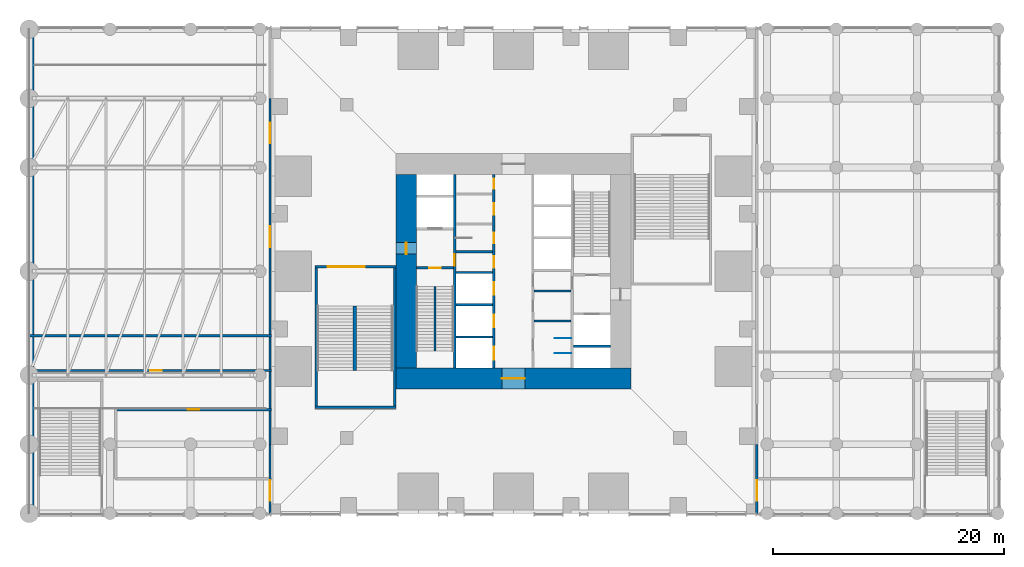
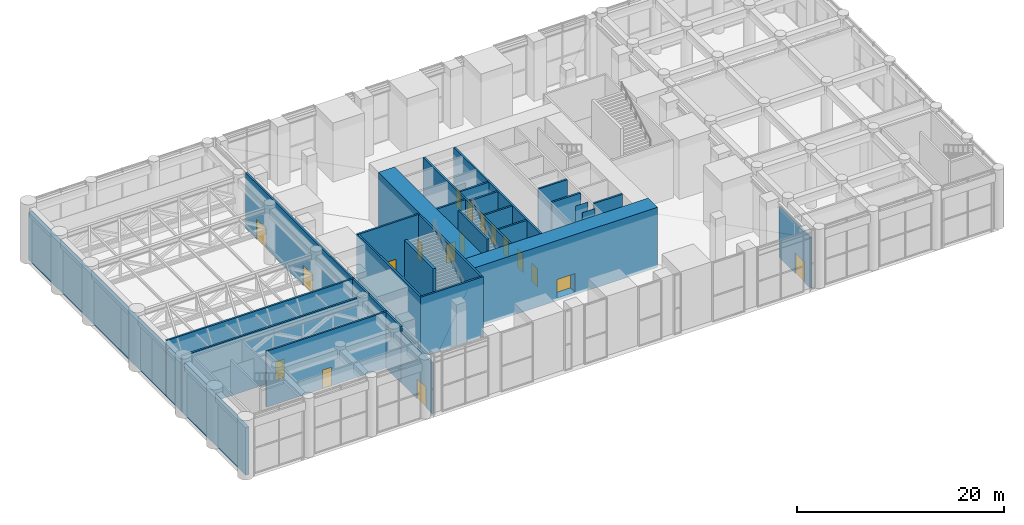
# One storey, part 22 of 30: 27 walls, 18 doors, 18 openings.
"""IFC4 building model written with IfcOpenShell, lengths in metres."""

import ifcopenshell
import ifcopenshell.guid

model = None  # the IFC model being written
_history = None  # IfcOwnerHistory: only IFC2X3 demands one
_inside = {}  # id of a spatial element -> (the spatial element, [elements in it])
_under = {}  # id of a project, library or spatial element -> (it, [spatial elements below it])
_declared = {}  # id of a project -> (the project, [libraries it declares])
_typed = {}  # id of a type object -> (the type object, [elements of that type])
_made_of = {}  # id of a material, layer set ... -> (it, [elements and type objects made of it])


def new_model(schema):
    """Start an empty IFC model of exactly this schema.

    Asked for "IFC4X3", IfcOpenShell would pick the latest addendum, in which some entities
    have other attributes; the version numbers below select the first issue.
    IFC2X3 requires an IfcOwnerHistory on every rooted entity: one is made here for all.
    """
    global model, _history
    if schema == "IFC4X3":
        model = ifcopenshell.file(schema_version=(4, 3, 0, 0))
    else:
        model = ifcopenshell.file(schema=schema)
    _inside.clear()
    _under.clear()
    _declared.clear()
    _typed.clear()
    _made_of.clear()
    _history = None
    if model.schema == "IFC2X3":
        org = make("IfcOrganization", Name="unknown")
        user = make(
            "IfcPersonAndOrganization",
            ThePerson=make("IfcPerson", FamilyName="unknown"),
            TheOrganization=org,
        )
        app = make(
            "IfcApplication",
            ApplicationDeveloper=org,
            Version="unknown",
            ApplicationFullName="unknown",
            ApplicationIdentifier="unknown",
        )
        _history = make(
            "IfcOwnerHistory",
            OwningUser=user,
            OwningApplication=app,
            ChangeAction="ADDED",
            CreationDate=0,
        )
    return model


def make(cls, **values):
    """One entity of the class cls with the attributes given. An attribute that is None is left unset."""
    return model.create_entity(
        cls, **{name: value for name, value in values.items() if value is not None}
    )


def rooted(cls, **values):
    """An entity with a GlobalId (a new one), such as an element, a storey or a relation."""
    return make(cls, GlobalId=ifcopenshell.guid.new(), OwnerHistory=_history, **values)


def si_unit(unit_type, name, prefix=None):
    """IfcSIUnit, for example si_unit("LENGTHUNIT", "METRE", prefix="MILLI")."""
    return make("IfcSIUnit", UnitType=unit_type, Prefix=prefix, Name=name)


def assignment(units):
    """IfcUnitAssignment: the units of a project."""
    return None if units is None else make("IfcUnitAssignment", Units=units)


def point(xyz):
    """IfcCartesianPoint."""
    return None if xyz is None else make("IfcCartesianPoint", Coordinates=xyz)


def direction(xyz):
    """IfcDirection."""
    return None if xyz is None else make("IfcDirection", DirectionRatios=xyz)


def frame(location, z_axis=None, x_axis=None):
    """IfcAxis2Placement3D, a coordinate frame: its origin and axes. An axis left out is left unset."""
    return make(
        "IfcAxis2Placement3D",
        Location=point(location),
        Axis=direction(z_axis),
        RefDirection=direction(x_axis),
    )


def frame_2d(location, x_axis=None):
    """IfcAxis2Placement2D, a coordinate frame in the plane: its origin and x axis."""
    return make(
        "IfcAxis2Placement2D", Location=point(location), RefDirection=direction(x_axis)
    )


def origin():
    """The frame at (0, 0, 0) with its axes left unset."""
    return frame((0.0, 0.0, 0.0))


def place(relative_to, where):
    """IfcLocalPlacement: puts the frame where relative to a parent placement (None: the world)."""
    return make(
        "IfcLocalPlacement", PlacementRelTo=relative_to, RelativePlacement=where
    )


def context(
    kind, dimensions, precision=None, world=None, true_north=None, identifier=None
):
    """IfcGeometricRepresentationContext, for example the 3D "Model" context."""
    return make(
        "IfcGeometricRepresentationContext",
        ContextIdentifier=identifier,
        ContextType=kind,
        CoordinateSpaceDimension=dimensions,
        Precision=precision,
        WorldCoordinateSystem=world,
        TrueNorth=true_north,
    )


def subcontext(parent, identifier, kind, view, scale=None):
    """IfcGeometricRepresentationSubContext, for example "Body" below "Model"."""
    return make(
        "IfcGeometricRepresentationSubContext",
        ContextIdentifier=identifier,
        ContextType=kind,
        ParentContext=parent,
        TargetScale=scale,
        TargetView=view,
    )


def project(units=None, contexts=None):
    """IfcProject with its units and contexts."""
    return rooted(
        "IfcProject",
        Name="project",
        RepresentationContexts=contexts,
        UnitsInContext=assignment(units),
    )


def spatial(cls, under=None, at=None, **own):
    """A site, building, storey or space (cls), placed at a placement, below another one or the project."""
    s = rooted(cls, ObjectPlacement=at, **own)
    if under is not None:
        _under.setdefault(under.id(), (under, []))[1].append(s)
    return s


def profile(cls, at=None, kind="AREA", **sizes):
    """A parametric profile (cls). Its sizes go by their IFC names, for example OverallWidth=200.0."""
    return make(cls, ProfileType=kind, Position=at, **sizes)


def rectangle(**sizes):
    """IfcRectangleProfileDef."""
    return profile("IfcRectangleProfileDef", **sizes)


def extrude(swept, where, along, depth):
    """IfcExtrudedAreaSolid: the profile swept, set in the frame where, extruded along a direction by depth."""
    return make(
        "IfcExtrudedAreaSolid",
        SweptArea=swept,
        Position=where,
        ExtrudedDirection=direction(along),
        Depth=depth,
    )


def shape(context_of_items, identifier, shape_type, items):
    """IfcShapeRepresentation: the items that make up one representation, for example the "Body"."""
    return make(
        "IfcShapeRepresentation",
        ContextOfItems=context_of_items,
        RepresentationIdentifier=identifier,
        RepresentationType=shape_type,
        Items=items,
    )


def material(Name=None, Category=None):
    """IfcMaterial."""
    return make("IfcMaterial", Name=Name, Category=Category)


def layer(
    of_material, thickness, ventilated=None, Name=None, Category=None, Priority=None
):
    """IfcMaterialLayer: one layer of a wall or slab, of a material (None: an air gap)."""
    return make(
        "IfcMaterialLayer",
        Material=of_material,
        LayerThickness=thickness,
        IsVentilated=ventilated,
        Name=Name,
        Category=Category,
        Priority=Priority,
    )


def layer_set(layers, Name=None):
    """IfcMaterialLayerSet."""
    return make("IfcMaterialLayerSet", MaterialLayers=layers, LayerSetName=Name)


def made_of(thing, what):
    """Note that an element or type object is made of a material, layer set ...; save() writes the relation."""
    if what is not None:
        _made_of.setdefault(what.id(), (what, []))[1].append(thing)
    return thing


def type_object(cls, material=None, **own):
    """A type object (cls), such as IfcWallType, which elements share."""
    return made_of(rooted(cls, **own), material)


def element(
    cls,
    number,
    at=None,
    inside=None,
    cuts=None,
    type_object=None,
    material=None,
    context=None,
    identifier="Body",
    shape_type=None,
    held_by="IfcProductDefinitionShape",
    body=None,
    shapes=None,
    **own,
):
    """One element of the class cls, such as IfcWall. Its Tag is "e" and its number.

    at: its placement. inside: the storey or other place that contains it. cuts: it is an
    opening in that element (IfcRelVoidsElement). A single representation is given by context,
    identifier, shape_type and body (its items); several are given by shapes. held_by: the class
    of the entity that holds the representations. save() writes the other relations.
    """
    e = rooted(cls, Tag="e%d" % number, ObjectPlacement=at, **own)
    if body is not None:
        shapes = [shape(context, identifier, shape_type, body)]
    if shapes is not None:
        e.Representation = make(held_by, Representations=shapes)
    if inside is not None:
        _inside.setdefault(inside.id(), (inside, []))[1].append(e)
    if cuts is not None:
        rooted(
            "IfcRelVoidsElement", RelatingBuildingElement=cuts, RelatedOpeningElement=e
        )
    if type_object is not None:
        _typed.setdefault(type_object.id(), (type_object, []))[1].append(e)
    return made_of(e, material)


def fill(opening, filler):
    """IfcRelFillsElement: the door or window that sits in an opening."""
    return rooted(
        "IfcRelFillsElement",
        RelatingOpeningElement=opening,
        RelatedBuildingElement=filler,
    )


def aggregate(whole, parts):
    """IfcRelAggregates: a whole, such as a stair, and the parts it consists of."""
    return rooted("IfcRelAggregates", RelatingObject=whole, RelatedObjects=parts)


def save(model, path):
    """Write the relations noted so far, then the file.

    IfcRelAggregates (storeys below a building ...), IfcRelContainedInSpatialStructure (elements
    in a storey), IfcRelDefinesByType, IfcRelAssociatesMaterial and IfcRelDeclares: one each for
    every whole, place, type object, material and project.
    """
    for whole, parts in _under.values():
        aggregate(whole, parts)
    for where, things in _inside.values():
        rooted(
            "IfcRelContainedInSpatialStructure",
            RelatedElements=things,
            RelatingStructure=where,
        )
    for kind, things in _typed.values():
        rooted("IfcRelDefinesByType", RelatedObjects=things, RelatingType=kind)
    for what, things in _made_of.values():
        rooted("IfcRelAssociatesMaterial", RelatedObjects=things, RelatingMaterial=what)
    for by, libraries in _declared.values():
        rooted("IfcRelDeclares", RelatingContext=by, RelatedDefinitions=libraries)
    model.write(path)


model = new_model("IFC4")

# Units and contexts
model_context = context("Model", 3, precision=1e-05, world=origin(), true_north=direction((0.0, 1.0)))
body_context = subcontext(model_context, "Body", "Model", "MODEL_VIEW")
ifc_project = project(units=[si_unit("LENGTHUNIT", "METRE"), si_unit("AREAUNIT", "SQUARE_METRE"), si_unit("VOLUMEUNIT", "CUBIC_METRE"), si_unit("PLANEANGLEUNIT", "RADIAN"), si_unit("MASSUNIT", "GRAM", prefix="KILO")], contexts=[model_context])

# Site, building, storey
site_placement = place(None, origin())
site = spatial("IfcSite", under=ifc_project, at=site_placement, CompositionType="ELEMENT")
building_placement = place(site_placement, origin())
building = spatial("IfcBuilding", under=site, at=building_placement, Name="Svetlomir Tower", CompositionType="ELEMENT")
storey_placement = place(building_placement, frame((0.0, 0.0, 11.0)))
storey = spatial("IfcBuildingStorey", under=building, at=storey_placement, Name="L02", CompositionType="ELEMENT", Elevation=11.0)

# Wall, opening, door
ifc_material_1 = material(Name="Gypsum board on twin steel studs", Category="steel")
ifc_layer_1 = layer(ifc_material_1, 0.199951171875)
ifc_layer_set_1 = layer_set([ifc_layer_1], Name="Gypsum board on twin steel studs")
wall_type_1 = type_object("IfcWallType", Name="ACOUSTIC PARTITION 200", PredefinedType="PARTITIONING", material=ifc_layer_set_1)
wall_1_placement = place(storey_placement, frame((-21.0, 12.39990234375, 0.0), z_axis=(0.0, 0.0, 1.0), x_axis=(1.0, 0.0, 0.0)))
wall_1 = element("IfcWall", 1, at=wall_1_placement, inside=storey, type_object=wall_type_1, Name="Partition L02", PredefinedType="PARTITIONING", context=body_context, shape_type="SweptSolid", body=[
    extrude(rectangle(XDim=21.0, YDim=0.199951171875, at=frame_2d((10.5, 0.0))), origin(), (0.0, 0.0, 1.0), 6.60009765625),
])
opening_1_placement = place(wall_1_placement, frame((10.5, 0.0, 0.0)))
opening_1 = element("IfcOpeningElement", 2, at=opening_1_placement, cuts=wall_1, Name="Opening DR", PredefinedType="OPENING", context=body_context, shape_type="SweptSolid", body=[
    extrude(rectangle(XDim=1.0, YDim=2.199951171875, at=frame_2d((0.5, 1.10009765625))), frame((0.0, 0.10986328125, 0.0), z_axis=(0.0, -1.0, 0.0), x_axis=(1.0, 0.0, 0.0)), (0.0, 0.0, 1.0), 0.219970703125),
])
ifc_material_2 = material(Name="Timber door, glazed side light", Category="wood")
door_type_1 = type_object("IfcDoorType", Name="DOOR DR 1000x2200", OperationType="SINGLE_SWING_LEFT", PredefinedType="DOOR", material=ifc_material_2)
door_1_placement = place(opening_1_placement, origin())
door_1 = element("IfcDoor", 3, at=door_1_placement, inside=storey, type_object=door_type_1, Name="Control room door L02", OperationType="SINGLE_SWING_RIGHT", OverallHeight=2.199951171875, OverallWidth=1.0, PredefinedType="DOOR", context=body_context, shape_type="SweptSolid", body=[
    extrude(rectangle(XDim=1.0, YDim=2.199951171875, at=frame_2d((0.5, 1.10009765625))), frame((0.0, 0.02490234375, 0.0), z_axis=(0.0, -1.0, 0.0), x_axis=(1.0, 0.0, 0.0)), (0.0, 0.0, 1.0), 0.050048828125),
])
fill(opening_1, door_1)

# Wall
wall_2_placement = place(storey_placement, frame((-21.0, 15.39990234375, 0.0), z_axis=(0.0, 0.0, 1.0), x_axis=(1.0, 0.0, 0.0)))
element("IfcWall", 4, at=wall_2_placement, inside=storey, type_object=wall_type_1, Name="Partition L02", PredefinedType="PARTITIONING", context=body_context, shape_type="SweptSolid", body=[
    extrude(rectangle(XDim=21.0, YDim=0.199951171875, at=frame_2d((10.5, 0.0))), origin(), (0.0, 0.0, 1.0), 6.60009765625),
])

# Wall, opening, door
wall_3_placement = place(storey_placement, frame((-13.5, 9.0, 0.0), z_axis=(0.0, 0.0, 1.0), x_axis=(1.0, 0.0, 0.0)))
wall_3 = element("IfcWall", 5, at=wall_3_placement, inside=storey, type_object=wall_type_1, Name="Partition L02", PredefinedType="PARTITIONING", context=body_context, shape_type="SweptSolid", body=[
    extrude(rectangle(XDim=13.5, YDim=0.199951171875, at=frame_2d((6.75, 0.0))), origin(), (0.0, 0.0, 1.0), 6.60009765625),
])
opening_2_placement = place(wall_3_placement, frame((6.25, 0.0, 0.0)))
opening_2 = element("IfcOpeningElement", 6, at=opening_2_placement, cuts=wall_3, Name="Opening DR", PredefinedType="OPENING", context=body_context, shape_type="SweptSolid", body=[
    extrude(rectangle(XDim=1.0, YDim=2.199951171875, at=frame_2d((0.5, 1.10009765625))), frame((0.0, 0.10986328125, 0.0), z_axis=(0.0, -1.0, 0.0), x_axis=(1.0, 0.0, 0.0)), (0.0, 0.0, 1.0), 0.219970703125),
])
door_2_placement = place(opening_2_placement, origin())
door_2 = element("IfcDoor", 7, at=door_2_placement, inside=storey, type_object=door_type_1, Name="Green room door L02", OperationType="SINGLE_SWING_LEFT", OverallHeight=2.199951171875, OverallWidth=1.0, PredefinedType="DOOR", context=body_context, shape_type="SweptSolid", body=[
    extrude(rectangle(XDim=1.0, YDim=2.199951171875, at=frame_2d((0.5, 1.10009765625))), frame((0.0, 0.02490234375, 0.0), z_axis=(0.0, -1.0, 0.0), x_axis=(1.0, 0.0, 0.0)), (0.0, 0.0, 1.0), 0.050048828125),
])
fill(opening_2, door_2)

ifc_material_3 = material(Name="Concrete C60/75", Category="concrete")
ifc_layer_2 = layer(ifc_material_3, 0.199951171875)
ifc_layer_set_2 = layer_set([ifc_layer_2], Name="Concrete C60/75")
wall_type_2 = type_object("IfcWallType", Name="CORE INNER WALL 200", PredefinedType="SHEAR", material=ifc_layer_set_2)
wall_4_placement = place(storey_placement, frame((15.89990234375, 12.60009765625, -0.300048828125), z_axis=(0.0, 0.0, 1.0), x_axis=(0.0, 1.0, 0.0)))
wall_4 = element("IfcWall", 8, at=wall_4_placement, inside=storey, type_object=wall_type_2, Name="Core inner wall 15.9 L02", PredefinedType="SHEAR", context=body_context, shape_type="SweptSolid", body=[
    extrude(rectangle(XDim=16.7998046875, YDim=0.199951171875, at=frame_2d((8.39990234375, 0.0))), origin(), (0.0, 0.0, 1.0), 7.10009765625),
])
opening_3_placement = place(wall_4_placement, frame((8.89990234375, 0.0, 0.300048828125)))
opening_3 = element("IfcOpeningElement", 9, at=opening_3_placement, cuts=wall_4, Name="Opening DF", PredefinedType="OPENING", context=body_context, shape_type="SweptSolid", body=[
    extrude(rectangle(XDim=1.0, YDim=2.199951171875, at=frame_2d((0.5, 1.10009765625))), frame((0.0, 0.10986328125, 0.0), z_axis=(0.0, -1.0, 0.0), x_axis=(1.0, 0.0, 0.0)), (0.0, 0.0, 1.0), 0.219970703125),
])
ifc_material_4 = material(Name="Steel fire door", Category="steel")
door_type_2 = type_object("IfcDoorType", Name="DOOR DF 1000x2200", OperationType="SINGLE_SWING_LEFT", PredefinedType="DOOR", material=ifc_material_4)
door_3_placement = place(opening_3_placement, origin())
door_3 = element("IfcDoor", 10, at=door_3_placement, inside=storey, type_object=door_type_2, Name="Core corridor west door L02", OperationType="SINGLE_SWING_LEFT", OverallHeight=2.199951171875, OverallWidth=1.0, PredefinedType="DOOR", context=body_context, shape_type="SweptSolid", body=[
    extrude(rectangle(XDim=1.0, YDim=2.199951171875, at=frame_2d((0.5, 1.10009765625))), frame((0.0, 0.02490234375, 0.0), z_axis=(0.0, -1.0, 0.0), x_axis=(1.0, 0.0, 0.0)), (0.0, 0.0, 1.0), 0.050048828125),
])
fill(opening_3, door_3)

# Wall, openings, doors
wall_5_placement = place(storey_placement, frame((19.300048828125, 12.60009765625, -0.300048828125), z_axis=(0.0, 0.0, 1.0), x_axis=(0.0, 1.0, 0.0)))
wall_5 = element("IfcWall", 11, at=wall_5_placement, inside=storey, type_object=wall_type_2, Name="Core inner wall 19.3 L02", PredefinedType="SHEAR", context=body_context, shape_type="SweptSolid", body=[
    extrude(rectangle(XDim=16.7998046875, YDim=0.199951171875, at=frame_2d((8.39990234375, 0.0))), origin(), (0.0, 0.0, 1.0), 7.10009765625),
])
opening_4_placement = place(wall_5_placement, frame((8.699951171875, 0.0, 0.300048828125)))
opening_4 = element("IfcOpeningElement", 12, at=opening_4_placement, cuts=wall_5, Name="Opening DC", PredefinedType="OPENING", context=body_context, shape_type="SweptSolid", body=[
    extrude(rectangle(XDim=1.0, YDim=2.199951171875, at=frame_2d((0.5, 1.10009765625))), frame((0.0, 0.10986328125, 0.0), z_axis=(0.0, -1.0, 0.0), x_axis=(1.0, 0.0, 0.0)), (0.0, 0.0, 1.0), 0.219970703125),
])
opening_5_placement = place(wall_5_placement, frame((10.85009765625, 0.0, 0.300048828125)))
opening_5 = element("IfcOpeningElement", 13, at=opening_5_placement, cuts=wall_5, Name="Opening DW", PredefinedType="OPENING", context=body_context, shape_type="SweptSolid", body=[
    extrude(rectangle(XDim=0.89990234375, YDim=2.199951171875, at=frame_2d((0.449951171875, 1.10009765625))), frame((0.0, 0.10986328125, 0.0), z_axis=(0.0, -1.0, 0.0), x_axis=(1.0, 0.0, 0.0)), (0.0, 0.0, 1.0), 0.219970703125),
])
opening_6_placement = place(wall_5_placement, frame((13.300048828125, 0.0, 0.300048828125)))
opening_6 = element("IfcOpeningElement", 14, at=opening_6_placement, cuts=wall_5, Name="Opening DC", PredefinedType="OPENING", context=body_context, shape_type="SweptSolid", body=[
    extrude(rectangle(XDim=1.0, YDim=2.199951171875, at=frame_2d((0.5, 1.10009765625))), frame((0.0, 0.10986328125, 0.0), z_axis=(0.0, -1.0, 0.0), x_axis=(1.0, 0.0, 0.0)), (0.0, 0.0, 1.0), 0.219970703125),
])
opening_7_placement = place(wall_5_placement, frame((15.550048828125, 0.0, 0.300048828125)))
opening_7 = element("IfcOpeningElement", 15, at=opening_7_placement, cuts=wall_5, Name="Opening DW", PredefinedType="OPENING", context=body_context, shape_type="SweptSolid", body=[
    extrude(rectangle(XDim=0.89990234375, YDim=2.199951171875, at=frame_2d((0.449951171875, 1.10009765625))), frame((0.0, 0.10986328125, 0.0), z_axis=(0.0, -1.0, 0.0), x_axis=(1.0, 0.0, 0.0)), (0.0, 0.0, 1.0), 0.219970703125),
])
opening_8_placement = place(wall_5_placement, frame((0.75, 0.0, 0.300048828125)))
opening_8 = element("IfcOpeningElement", 16, at=opening_8_placement, cuts=wall_5, Name="Opening LD", PredefinedType="OPENING", context=body_context, shape_type="SweptSolid", body=[
    extrude(rectangle(XDim=1.10009765625, YDim=2.199951171875, at=frame_2d((0.550048828125, 1.10009765625))), frame((0.0, 0.10986328125, 0.0), z_axis=(0.0, -1.0, 0.0), x_axis=(1.0, 0.0, 0.0)), (0.0, 0.0, 1.0), 0.219970703125),
])
opening_9_placement = place(wall_5_placement, frame((3.550048828125, 0.0, 0.300048828125)))
opening_9 = element("IfcOpeningElement", 17, at=opening_9_placement, cuts=wall_5, Name="Opening LD", PredefinedType="OPENING", context=body_context, shape_type="SweptSolid", body=[
    extrude(rectangle(XDim=1.10009765625, YDim=2.199951171875, at=frame_2d((0.550048828125, 1.10009765625))), frame((0.0, 0.10986328125, 0.0), z_axis=(0.0, -1.0, 0.0), x_axis=(1.0, 0.0, 0.0)), (0.0, 0.0, 1.0), 0.219970703125),
])
opening_10_placement = place(wall_5_placement, frame((6.35009765625, 0.0, 0.300048828125)))
opening_10 = element("IfcOpeningElement", 18, at=opening_10_placement, cuts=wall_5, Name="Opening LD", PredefinedType="OPENING", context=body_context, shape_type="SweptSolid", body=[
    extrude(rectangle(XDim=1.10009765625, YDim=2.199951171875, at=frame_2d((0.550048828125, 1.10009765625))), frame((0.0, 0.10986328125, 0.0), z_axis=(0.0, -1.0, 0.0), x_axis=(1.0, 0.0, 0.0)), (0.0, 0.0, 1.0), 0.219970703125),
])
ifc_material_5 = material(Name="Timber fire door", Category="wood")
door_type_3 = type_object("IfcDoorType", Name="DOOR DC 1000x2200", OperationType="SINGLE_SWING_LEFT", PredefinedType="DOOR", material=ifc_material_5)
door_4_placement = place(opening_4_placement, origin())
door_4 = element("IfcDoor", 19, at=door_4_placement, inside=storey, type_object=door_type_3, Name="Core corridor west lobby door L02", OperationType="SINGLE_SWING_LEFT", OverallHeight=2.199951171875, OverallWidth=1.0, PredefinedType="DOOR", context=body_context, shape_type="SweptSolid", body=[
    extrude(rectangle(XDim=1.0, YDim=2.199951171875, at=frame_2d((0.5, 1.10009765625))), frame((0.0, 0.02490234375, 0.0), z_axis=(0.0, -1.0, 0.0), x_axis=(1.0, 0.0, 0.0)), (0.0, 0.0, 1.0), 0.050048828125),
])
fill(opening_4, door_4)
door_5_placement = place(opening_6_placement, origin())
door_5 = element("IfcDoor", 20, at=door_5_placement, inside=storey, type_object=door_type_3, Name="Accessible WC door L02", OperationType="SINGLE_SWING_RIGHT", OverallHeight=2.199951171875, OverallWidth=1.0, PredefinedType="DOOR", context=body_context, shape_type="SweptSolid", body=[
    extrude(rectangle(XDim=1.0, YDim=2.199951171875, at=frame_2d((0.5, 1.10009765625))), frame((0.0, 0.02490234375, 0.0), z_axis=(0.0, -1.0, 0.0), x_axis=(1.0, 0.0, 0.0)), (0.0, 0.0, 1.0), 0.050048828125),
])
fill(opening_6, door_5)
ifc_material_6 = material(Name="Timber fire door", Category="wood")
door_type_4 = type_object("IfcDoorType", Name="DOOR DW 900x2200", OperationType="SINGLE_SWING_LEFT", PredefinedType="DOOR", material=ifc_material_6)
door_6_placement = place(opening_5_placement, origin())
door_6 = element("IfcDoor", 21, at=door_6_placement, inside=storey, type_object=door_type_4, Name="Female WC door L02", OperationType="SINGLE_SWING_LEFT", OverallHeight=2.199951171875, OverallWidth=0.89990234375, PredefinedType="DOOR", context=body_context, shape_type="SweptSolid", body=[
    extrude(rectangle(XDim=0.89990234375, YDim=2.199951171875, at=frame_2d((0.449951171875, 1.10009765625))), frame((0.0, 0.02490234375, 0.0), z_axis=(0.0, -1.0, 0.0), x_axis=(1.0, 0.0, 0.0)), (0.0, 0.0, 1.0), 0.050048828125),
])
fill(opening_5, door_6)
door_7_placement = place(opening_7_placement, origin())
door_7 = element("IfcDoor", 22, at=door_7_placement, inside=storey, type_object=door_type_4, Name="First aid room door L02", OperationType="SINGLE_SWING_LEFT", OverallHeight=2.199951171875, OverallWidth=0.89990234375, PredefinedType="DOOR", context=body_context, shape_type="SweptSolid", body=[
    extrude(rectangle(XDim=0.89990234375, YDim=2.199951171875, at=frame_2d((0.449951171875, 1.10009765625))), frame((0.0, 0.02490234375, 0.0), z_axis=(0.0, -1.0, 0.0), x_axis=(1.0, 0.0, 0.0)), (0.0, 0.0, 1.0), 0.050048828125),
])
fill(opening_7, door_7)
ifc_material_7 = material(Name="Stainless steel landing door", Category="steel")
door_type_5 = type_object("IfcDoorType", Name="LIFT LANDING DOOR LD 1100x2200", OperationType="DOUBLE_DOOR_SLIDING", PredefinedType="DOOR", material=ifc_material_7)
door_8_placement = place(opening_8_placement, origin())
door_8 = element("IfcDoor", 23, at=door_8_placement, inside=storey, type_object=door_type_5, Name="Landing door lift LA1 L02", OperationType="DOUBLE_DOOR_SLIDING", OverallHeight=2.199951171875, OverallWidth=1.10009765625, PredefinedType="DOOR", context=body_context, shape_type="SweptSolid", body=[
    extrude(rectangle(XDim=1.10009765625, YDim=2.199951171875, at=frame_2d((0.550048828125, 1.10009765625))), frame((0.0, 0.02490234375, 0.0), z_axis=(0.0, -1.0, 0.0), x_axis=(1.0, 0.0, 0.0)), (0.0, 0.0, 1.0), 0.050048828125),
])
fill(opening_8, door_8)
door_9_placement = place(opening_9_placement, origin())
door_9 = element("IfcDoor", 24, at=door_9_placement, inside=storey, type_object=door_type_5, Name="Landing door lift LA2 L02", OperationType="DOUBLE_DOOR_SLIDING", OverallHeight=2.199951171875, OverallWidth=1.10009765625, PredefinedType="DOOR", context=body_context, shape_type="SweptSolid", body=[
    extrude(rectangle(XDim=1.10009765625, YDim=2.199951171875, at=frame_2d((0.550048828125, 1.10009765625))), frame((0.0, 0.02490234375, 0.0), z_axis=(0.0, -1.0, 0.0), x_axis=(1.0, 0.0, 0.0)), (0.0, 0.0, 1.0), 0.050048828125),
])
fill(opening_9, door_9)
door_10_placement = place(opening_10_placement, origin())
door_10 = element("IfcDoor", 25, at=door_10_placement, inside=storey, type_object=door_type_5, Name="Landing door lift LA3 L02", OperationType="DOUBLE_DOOR_SLIDING", OverallHeight=2.199951171875, OverallWidth=1.10009765625, PredefinedType="DOOR", context=body_context, shape_type="SweptSolid", body=[
    extrude(rectangle(XDim=1.10009765625, YDim=2.199951171875, at=frame_2d((0.550048828125, 1.10009765625))), frame((0.0, 0.02490234375, 0.0), z_axis=(0.0, -1.0, 0.0), x_axis=(1.0, 0.0, 0.0)), (0.0, 0.0, 1.0), 0.050048828125),
])
fill(opening_10, door_10)

# Wall, opening, door
wall_6_placement = place(storey_placement, frame((12.60009765625, 21.300048828125, -0.300048828125), z_axis=(0.0, 0.0, 1.0), x_axis=(1.0, 0.0, 0.0)))
wall_6 = element("IfcWall", 26, at=wall_6_placement, inside=storey, type_object=wall_type_2, Name="Core inner wall 12.6-15.8/21.3 L02", PredefinedType="SHEAR", context=body_context, shape_type="SweptSolid", body=[
    extrude(rectangle(XDim=3.199951171875, YDim=0.199951171875, at=frame_2d((1.60009765625, 0.0))), origin(), (0.0, 0.0, 1.0), 7.10009765625),
])
opening_11_placement = place(wall_6_placement, frame((1.10009765625, 0.0, 0.300048828125)))
opening_11 = element("IfcOpeningElement", 27, at=opening_11_placement, cuts=wall_6, Name="Opening DF", PredefinedType="OPENING", context=body_context, shape_type="SweptSolid", body=[
    extrude(rectangle(XDim=1.0, YDim=2.199951171875, at=frame_2d((0.5, 1.10009765625))), frame((0.0, 0.10986328125, 0.0), z_axis=(0.0, -1.0, 0.0), x_axis=(1.0, 0.0, 0.0)), (0.0, 0.0, 1.0), 0.219970703125),
])
door_11_placement = place(opening_11_placement, origin())
door_11 = element("IfcDoor", 28, at=door_11_placement, inside=storey, type_object=door_type_2, Name="Stair S1 door L02", OperationType="SINGLE_SWING_LEFT", OverallHeight=2.199951171875, OverallWidth=1.0, PredefinedType="DOOR", context=body_context, shape_type="SweptSolid", body=[
    extrude(rectangle(XDim=1.0, YDim=2.199951171875, at=frame_2d((0.5, 1.10009765625))), frame((0.0, 0.02490234375, 0.0), z_axis=(0.0, -1.0, 0.0), x_axis=(1.0, 0.0, 0.0)), (0.0, 0.0, 1.0), 0.050048828125),
])
fill(opening_11, door_11)

# Walls
for number, where, z_axis, x_axis, name in (
    (29, (16.0, 15.300048828125, -0.300048828125), (0.0, 0.0, 1.0), (1.0, 0.0, 0.0), "Core inner wall 16-19.2/15.3 L02"),
    (30, (16.0, 18.10009765625, -0.300048828125), (0.0, 0.0, 1.0), (1.0, 0.0, 0.0), "Core inner wall 16-19.2/18.1 L02"),
    (31, (16.0, 20.89990234375, -0.300048828125), (0.0, 0.0, 1.0), (1.0, 0.0, 0.0), "Core inner wall 16-19.2/20.9 L02"),
    (32, (16.0, 22.699951171875, -0.300048828125), (0.0, 0.0, 1.0), (1.0, 0.0, 0.0), "Core inner wall 16-19.2/22.7 L02"),
    (33, (22.800048828125, 16.699951171875, -0.300048828125), (0.0, 0.0, 1.0), (1.0, 0.0, 0.0), "Core inner wall 22.8-26/16.7 L02"),
    (34, (22.800048828125, 19.300048828125, -0.300048828125), (0.0, 0.0, 1.0), (1.0, 0.0, 0.0), "Core inner wall 22.8-26/19.3 L02"),
    (35, (26.199951171875, 14.5, -0.300048828125), (0.0, 0.0, 1.0), (1.0, 0.0, 0.0), "Core inner wall 26.2-29.4/14.5 L02"),
):
    element("IfcWall", number, at=place(storey_placement, frame(where, z_axis=z_axis, x_axis=x_axis)), inside=storey, type_object=wall_type_2, Name=name, PredefinedType="SHEAR", context=body_context, shape_type="SweptSolid", body=[
        extrude(rectangle(XDim=3.199951171875, YDim=0.199951171875, at=frame_2d((1.60009765625, 0.0))), origin(), (0.0, 0.0, 1.0), 7.10009765625),
    ])

# Wall, opening, door
ifc_material_8 = material(Name="Concrete C60/75", Category="concrete")
ifc_layer_3 = layer(ifc_material_8, 1.800048828125)
ifc_layer_set_3 = layer_set([ifc_layer_3], Name="Concrete C60/75")
wall_type_3 = type_object("IfcWallType", Name="CORE WALL 1800", PredefinedType="SHEAR", material=ifc_layer_set_3)
wall_7_placement = place(storey_placement, frame((10.800048828125, 11.699951171875, -0.300048828125), z_axis=(0.0, 0.0, 1.0), x_axis=(1.0, 0.0, 0.0)))
wall_7 = element("IfcWall", 36, at=wall_7_placement, inside=storey, type_object=wall_type_3, Name="Core wall south L02", PredefinedType="SHEAR", context=body_context, shape_type="SweptSolid", body=[
    extrude(rectangle(XDim=20.39990234375, YDim=1.800048828125, at=frame_2d((10.199951171875, 0.0))), origin(), (0.0, 0.0, 1.0), 7.10009765625),
])
opening_12_placement = place(wall_7_placement, frame((9.199951171875, 0.0, 0.300048828125)))
opening_12 = element("IfcOpeningElement", 37, at=opening_12_placement, cuts=wall_7, Name="Opening DL", PredefinedType="OPENING", context=body_context, shape_type="SweptSolid", body=[
    extrude(rectangle(XDim=2.0, YDim=2.199951171875, at=frame_2d((1.0, 1.10009765625))), frame((0.0, 0.91015625, 0.0), z_axis=(0.0, -1.0, 0.0), x_axis=(1.0, 0.0, 0.0)), (0.0, 0.0, 1.0), 1.820068359375),
])
ifc_material_9 = material(Name="Steel fire door", Category="steel")
door_type_6 = type_object("IfcDoorType", Name="DOOR DL 2000x2200", OperationType="DOUBLE_DOOR_SINGLE_SWING", PredefinedType="DOOR", material=ifc_material_9)
door_12_placement = place(opening_12_placement, origin())
door_12 = element("IfcDoor", 38, at=door_12_placement, inside=storey, type_object=door_type_6, Name="Lift lobby south door L02", OperationType="DOUBLE_DOOR_SINGLE_SWING", OverallHeight=2.199951171875, OverallWidth=2.0, PredefinedType="DOOR", context=body_context, shape_type="SweptSolid", body=[
    extrude(rectangle(XDim=2.0, YDim=2.199951171875, at=frame_2d((1.0, 1.10009765625))), frame((0.0, 0.02490234375, 0.0), z_axis=(0.0, -1.0, 0.0), x_axis=(1.0, 0.0, 0.0)), (0.0, 0.0, 1.0), 0.050048828125),
])
fill(opening_12, door_12)

wall_8_placement = place(storey_placement, frame((11.699951171875, 12.60009765625, -0.300048828125), z_axis=(0.0, 0.0, 1.0), x_axis=(0.0, 1.0, 0.0)))
wall_8 = element("IfcWall", 39, at=wall_8_placement, inside=storey, type_object=wall_type_3, Name="Core wall west L02", PredefinedType="SHEAR", context=body_context, shape_type="SweptSolid", body=[
    extrude(rectangle(XDim=16.7998046875, YDim=1.800048828125, at=frame_2d((8.39990234375, 0.0))), origin(), (0.0, 0.0, 1.0), 7.10009765625),
])
opening_13_placement = place(wall_8_placement, frame((9.89990234375, 0.0, 0.300048828125)))
opening_13 = element("IfcOpeningElement", 40, at=opening_13_placement, cuts=wall_8, Name="Opening DF", PredefinedType="OPENING", context=body_context, shape_type="SweptSolid", body=[
    extrude(rectangle(XDim=1.0, YDim=2.199951171875, at=frame_2d((0.5, 1.10009765625))), frame((0.0, 0.91015625, 0.0), z_axis=(0.0, -1.0, 0.0), x_axis=(1.0, 0.0, 0.0)), (0.0, 0.0, 1.0), 1.820068359375),
])
door_13_placement = place(opening_13_placement, origin())
door_13 = element("IfcDoor", 41, at=door_13_placement, inside=storey, type_object=door_type_2, Name="Firefighting lobby west door L02", OperationType="SINGLE_SWING_LEFT", OverallHeight=2.199951171875, OverallWidth=1.0, PredefinedType="DOOR", context=body_context, shape_type="SweptSolid", body=[
    extrude(rectangle(XDim=1.0, YDim=2.199951171875, at=frame_2d((0.5, 1.10009765625))), frame((0.0, 0.02490234375, 0.0), z_axis=(0.0, -1.0, 0.0), x_axis=(1.0, 0.0, 0.0)), (0.0, 0.0, 1.0), 0.050048828125),
])
fill(opening_13, door_13)

ifc_material_10 = material(Name="Reinforced blockwork fire wall", Category="masonry")
ifc_layer_4 = layer(ifc_material_10, 0.199951171875)
ifc_layer_set_4 = layer_set([ifc_layer_4], Name="Reinforced blockwork fire wall")
wall_type_4 = type_object("IfcWallType", Name="FIRE WALL 200", PredefinedType="PARTITIONING", material=ifc_layer_set_4)
wall_9_placement = place(storey_placement, frame((-0.110107421875, 0.0, 0.0), z_axis=(0.0, 0.0, 1.0), x_axis=(0.0, 1.0, 0.0)))
wall_9 = element("IfcWall", 42, at=wall_9_placement, inside=storey, type_object=wall_type_4, Name="Fire wall L02", PredefinedType="PARTITIONING", context=body_context, shape_type="SweptSolid", body=[
    extrude(rectangle(XDim=6.0, YDim=0.199951171875, at=frame_2d((3.0, 0.0))), origin(), (0.0, 0.0, 1.0), 5.97998046875),
])
opening_14_placement = place(wall_9_placement, frame((1.10009765625, 0.0, 0.0)))
opening_14 = element("IfcOpeningElement", 43, at=opening_14_placement, cuts=wall_9, Name="Opening FD120", PredefinedType="OPENING", context=body_context, shape_type="SweptSolid", body=[
    extrude(rectangle(XDim=1.800048828125, YDim=2.39990234375, at=frame_2d((0.89990234375, 1.199951171875))), frame((0.0, 0.10986328125, 0.0), z_axis=(0.0, -1.0, 0.0), x_axis=(1.0, 0.0, 0.0)), (0.0, 0.0, 1.0), 0.219970703125),
])
ifc_material_11 = material(Name="Self-closing steel fire door", Category="steel")
door_type_7 = type_object("IfcDoorType", Name="FIRE DOOR FD120 1800x2400", OperationType="DOUBLE_DOOR_SINGLE_SWING", PredefinedType="DOOR", material=ifc_material_11)
door_14_placement = place(opening_14_placement, origin())
door_14 = element("IfcDoor", 44, at=door_14_placement, inside=storey, type_object=door_type_7, Name="Fire wall door L02", OperationType="DOUBLE_DOOR_SINGLE_SWING", OverallHeight=2.39990234375, OverallWidth=1.800048828125, PredefinedType="DOOR", context=body_context, shape_type="SweptSolid", body=[
    extrude(rectangle(XDim=1.800048828125, YDim=2.39990234375, at=frame_2d((0.89990234375, 1.199951171875))), frame((0.0, 0.02490234375, 0.0), z_axis=(0.0, -1.0, 0.0), x_axis=(1.0, 0.0, 0.0)), (0.0, 0.0, 1.0), 0.050048828125),
])
fill(opening_14, door_14)

# Wall, openings, doors
wall_10_placement = place(storey_placement, frame((-0.110107421875, 6.0, 0.0), z_axis=(0.0, 0.0, 1.0), x_axis=(0.0, 1.0, 0.0)))
wall_10 = element("IfcWall", 45, at=wall_10_placement, inside=storey, type_object=wall_type_4, Name="Fire wall L02", PredefinedType="PARTITIONING", context=body_context, shape_type="SweptSolid", body=[
    extrude(rectangle(XDim=30.0, YDim=0.199951171875, at=frame_2d((15.0, 0.0))), origin(), (0.0, 0.0, 1.0), 6.60009765625),
])
opening_15_placement = place(wall_10_placement, frame((17.10009765625, 0.0, 0.0)))
opening_15 = element("IfcOpeningElement", 46, at=opening_15_placement, cuts=wall_10, Name="Opening FD120", PredefinedType="OPENING", context=body_context, shape_type="SweptSolid", body=[
    extrude(rectangle(XDim=1.800048828125, YDim=2.39990234375, at=frame_2d((0.89990234375, 1.199951171875))), frame((0.0, 0.10986328125, 0.0), z_axis=(0.0, -1.0, 0.0), x_axis=(1.0, 0.0, 0.0)), (0.0, 0.0, 1.0), 0.219970703125),
])
opening_16_placement = place(wall_10_placement, frame((26.10009765625, 0.0, 0.0)))
opening_16 = element("IfcOpeningElement", 47, at=opening_16_placement, cuts=wall_10, Name="Opening FD120", PredefinedType="OPENING", context=body_context, shape_type="SweptSolid", body=[
    extrude(rectangle(XDim=1.800048828125, YDim=2.39990234375, at=frame_2d((0.89990234375, 1.199951171875))), frame((0.0, 0.10986328125, 0.0), z_axis=(0.0, -1.0, 0.0), x_axis=(1.0, 0.0, 0.0)), (0.0, 0.0, 1.0), 0.219970703125),
])
door_15_placement = place(opening_15_placement, origin())
door_15 = element("IfcDoor", 48, at=door_15_placement, inside=storey, type_object=door_type_7, Name="Auditorium fire door L02", OperationType="DOUBLE_DOOR_SINGLE_SWING", OverallHeight=2.39990234375, OverallWidth=1.800048828125, PredefinedType="DOOR", context=body_context, shape_type="SweptSolid", body=[
    extrude(rectangle(XDim=1.800048828125, YDim=2.39990234375, at=frame_2d((0.89990234375, 1.199951171875))), frame((0.0, 0.02490234375, 0.0), z_axis=(0.0, -1.0, 0.0), x_axis=(1.0, 0.0, 0.0)), (0.0, 0.0, 1.0), 0.050048828125),
])
fill(opening_15, door_15)
door_16_placement = place(opening_16_placement, origin())
door_16 = element("IfcDoor", 49, at=door_16_placement, inside=storey, type_object=door_type_7, Name="Auditorium second fire door L02", OperationType="DOUBLE_DOOR_SINGLE_SWING", OverallHeight=2.39990234375, OverallWidth=1.800048828125, PredefinedType="DOOR", context=body_context, shape_type="SweptSolid", body=[
    extrude(rectangle(XDim=1.800048828125, YDim=2.39990234375, at=frame_2d((0.89990234375, 1.199951171875))), frame((0.0, 0.02490234375, 0.0), z_axis=(0.0, -1.0, 0.0), x_axis=(1.0, 0.0, 0.0)), (0.0, 0.0, 1.0), 0.050048828125),
])
fill(opening_16, door_16)

# Wall, opening, door
wall_11_placement = place(storey_placement, frame((42.110107421875, 0.0, 0.0), z_axis=(0.0, 0.0, 1.0), x_axis=(0.0, 1.0, 0.0)))
wall_11 = element("IfcWall", 50, at=wall_11_placement, inside=storey, type_object=wall_type_4, Name="Fire wall L02", PredefinedType="PARTITIONING", context=body_context, shape_type="SweptSolid", body=[
    extrude(rectangle(XDim=6.0, YDim=0.199951171875, at=frame_2d((3.0, 0.0))), origin(), (0.0, 0.0, 1.0), 5.97998046875),
])
opening_17_placement = place(wall_11_placement, frame((1.10009765625, 0.0, 0.0)))
opening_17 = element("IfcOpeningElement", 51, at=opening_17_placement, cuts=wall_11, Name="Opening FD120", PredefinedType="OPENING", context=body_context, shape_type="SweptSolid", body=[
    extrude(rectangle(XDim=1.800048828125, YDim=2.39990234375, at=frame_2d((0.89990234375, 1.199951171875))), frame((0.0, 0.10986328125, 0.0), z_axis=(0.0, -1.0, 0.0), x_axis=(1.0, 0.0, 0.0)), (0.0, 0.0, 1.0), 0.219970703125),
])
door_17_placement = place(opening_17_placement, origin())
door_17 = element("IfcDoor", 52, at=door_17_placement, inside=storey, type_object=door_type_7, Name="Fire wall door L02", OperationType="DOUBLE_DOOR_SINGLE_SWING", OverallHeight=2.39990234375, OverallWidth=1.800048828125, PredefinedType="DOOR", context=body_context, shape_type="SweptSolid", body=[
    extrude(rectangle(XDim=1.800048828125, YDim=2.39990234375, at=frame_2d((0.89990234375, 1.199951171875))), frame((0.0, 0.02490234375, 0.0), z_axis=(0.0, -1.0, 0.0), x_axis=(1.0, 0.0, 0.0)), (0.0, 0.0, 1.0), 0.050048828125),
])
fill(opening_17, door_17)

# Walls
ifc_material_12 = material(Name="Precast concrete C60/75", Category="concrete")
ifc_layer_5 = layer(ifc_material_12, 0.39990234375)
ifc_layer_set_5 = layer_set([ifc_layer_5], Name="Precast concrete C60/75")
wall_type_5 = type_object("IfcWallType", Name="PODIUM WALL 400", PredefinedType="SOLIDWALL", material=ifc_layer_set_5)
wall_12_placement = place(storey_placement, frame((-20.800048828125, 42.0, 0.0), z_axis=(0.0, 0.0, 1.0), x_axis=(0.0, -1.0, 0.0)))
element("IfcWall", 53, at=wall_12_placement, inside=storey, type_object=wall_type_5, Name="Auditorium west wall", PredefinedType="SOLIDWALL", context=body_context, shape_type="SweptSolid", body=[
    extrude(rectangle(XDim=42.0, YDim=0.39990234375, at=frame_2d((21.0, 0.0))), origin(), (0.0, 0.0, 1.0), 5.60009765625),
])
ifc_material_13 = material(Name="Concrete C60/75", Category="concrete")
ifc_layer_6 = layer(ifc_material_13, 0.199951171875)
ifc_layer_set_6 = layer_set([ifc_layer_6], Name="Concrete C60/75")
wall_type_6 = type_object("IfcWallType", Name="STAIR CORE WALL RC 200", PredefinedType="SOLIDWALL", material=ifc_layer_set_6)
wall_13_placement = place(storey_placement, frame((3.800048828125, 9.199951171875, -0.300048828125), z_axis=(0.0, 0.0, 1.0), x_axis=(1.0, 0.0, 0.0)))
element("IfcWall", 54, at=wall_13_placement, inside=storey, type_object=wall_type_6, Name="Stair P1 enclosure wall L02", PredefinedType="SOLIDWALL", context=body_context, shape_type="SweptSolid", body=[
    extrude(rectangle(XDim=7.0, YDim=0.199951171875, at=frame_2d((3.5, 0.0))), origin(), (0.0, 0.0, 1.0), 7.10009765625),
])
wall_14_placement = place(storey_placement, frame((10.699951171875, 9.10009765625, -0.300048828125), z_axis=(0.0, 0.0, 1.0), x_axis=(0.0, 1.0, 0.0)))
element("IfcWall", 55, at=wall_14_placement, inside=storey, type_object=wall_type_6, Name="Stair P1 enclosure wall L02", PredefinedType="SOLIDWALL", context=body_context, shape_type="SweptSolid", body=[
    extrude(rectangle(XDim=12.39990234375, YDim=0.199951171875, at=frame_2d((6.199951171875, 0.0))), origin(), (0.0, 0.0, 1.0), 7.10009765625),
])

# Wall, opening, door
wall_15_placement = place(storey_placement, frame((10.800048828125, 21.39990234375, -0.300048828125), z_axis=(0.0, 0.0, 1.0), x_axis=(-1.0, 0.0, 0.0)))
wall_15 = element("IfcWall", 56, at=wall_15_placement, inside=storey, type_object=wall_type_6, Name="Stair P1 enclosure wall L02", PredefinedType="SOLIDWALL", context=body_context, shape_type="SweptSolid", body=[
    extrude(rectangle(XDim=7.0, YDim=0.199951171875, at=frame_2d((3.5, 0.0))), origin(), (0.0, 0.0, 1.0), 7.10009765625),
])
opening_18_placement = place(wall_15_placement, frame((2.699951171875, 0.0, 0.300048828125)))
opening_18 = element("IfcOpeningElement", 57, at=opening_18_placement, cuts=wall_15, Name="Opening DS32", PredefinedType="OPENING", context=body_context, shape_type="SweptSolid", body=[
    extrude(rectangle(XDim=3.199951171875, YDim=2.39990234375, at=frame_2d((1.60009765625, 1.199951171875))), frame((0.0, 0.10986328125, 0.0), z_axis=(0.0, -1.0, 0.0), x_axis=(1.0, 0.0, 0.0)), (0.0, 0.0, 1.0), 0.219970703125),
])
ifc_material_14 = material(Name="Steel fire door", Category="steel")
door_type_8 = type_object("IfcDoorType", Name="STAIR DOUBLE DOOR DS 3200x2400", OperationType="DOUBLE_DOOR_SINGLE_SWING", PredefinedType="DOOR", material=ifc_material_14)
door_18_placement = place(opening_18_placement, origin())
door_18 = element("IfcDoor", 58, at=door_18_placement, inside=storey, type_object=door_type_8, Name="Stair P1 door L02", OperationType="DOUBLE_DOOR_SINGLE_SWING", OverallHeight=2.39990234375, OverallWidth=3.199951171875, PredefinedType="DOOR", context=body_context, shape_type="SweptSolid", body=[
    extrude(rectangle(XDim=3.199951171875, YDim=2.39990234375, at=frame_2d((1.60009765625, 1.199951171875))), frame((0.0, 0.02490234375, 0.0), z_axis=(0.0, -1.0, 0.0), x_axis=(1.0, 0.0, 0.0)), (0.0, 0.0, 1.0), 0.050048828125),
])
fill(opening_18, door_18)

# Walls
wall_16_placement = place(storey_placement, frame((3.89990234375, 21.5, -0.300048828125), z_axis=(0.0, 0.0, 1.0), x_axis=(0.0, -1.0, 0.0)))
element("IfcWall", 59, at=wall_16_placement, inside=storey, type_object=wall_type_6, Name="Stair P1 enclosure wall L02", PredefinedType="SOLIDWALL", context=body_context, shape_type="SweptSolid", body=[
    extrude(rectangle(XDim=12.39990234375, YDim=0.199951171875, at=frame_2d((6.199951171875, 0.0))), origin(), (0.0, 0.0, 1.0), 7.10009765625),
])
ifc_material_15 = material(Name="Concrete C60/75", Category="concrete")
ifc_layer_7 = layer(ifc_material_15, 0.199951171875)
ifc_layer_set_7 = layer_set([ifc_layer_7], Name="Concrete C60/75")
wall_type_7 = type_object("IfcWallType", Name="STAIR SPINE WALL 200", PredefinedType="PARTITIONING", material=ifc_layer_set_7)
wall_17_placement = place(storey_placement, frame((14.199951171875, 14.10009765625, 0.0), z_axis=(0.0, 0.0, 1.0), x_axis=(0.0, 1.0, 0.0)))
element("IfcWall", 60, at=wall_17_placement, inside=storey, type_object=wall_type_7, Name="Stair S1 spine wall L02", PredefinedType="PARTITIONING", context=body_context, shape_type="SweptSolid", body=[
    extrude(rectangle(XDim=5.599853515625, YDim=0.199951171875, at=frame_2d((2.7998046875, 0.0))), origin(), (0.0, 0.0, 1.0), 7.0),
])
ifc_material_16 = material(Name="Concrete C60/75", Category="concrete")
ifc_layer_8 = layer(ifc_material_16, 0.300048828125)
ifc_layer_set_8 = layer_set([ifc_layer_8], Name="Concrete C60/75")
wall_type_8 = type_object("IfcWallType", Name="STAIR SPINE WALL 300", PredefinedType="PARTITIONING", material=ifc_layer_set_8)
wall_18_placement = place(storey_placement, frame((7.25, 12.39990234375, 0.0), z_axis=(0.0, 0.0, 1.0), x_axis=(0.0, 1.0, 0.0)))
element("IfcWall", 61, at=wall_18_placement, inside=storey, type_object=wall_type_8, Name="Stair P1 spine wall L02", PredefinedType="PARTITIONING", context=body_context, shape_type="SweptSolid", body=[
    extrude(rectangle(XDim=5.60009765625, YDim=0.300048828125, at=frame_2d((2.800048828125, 0.0))), origin(), (0.0, 0.0, 1.0), 7.0),
])
ifc_material_17 = material(Name="Compact laminate panel", Category="plastic")
ifc_layer_9 = layer(ifc_material_17, 0.030029296875)
ifc_layer_set_9 = layer_set([ifc_layer_9], Name="Compact laminate panel")
wall_type_9 = type_object("IfcWallType", Name="WC CUBICLE PARTITION 30", PredefinedType="PARTITIONING", material=ifc_layer_set_9)
for number, where, z_axis, x_axis, name in (
    (62, (24.60009765625, 13.89990234375, 0.0), (0.0, 0.0, 1.0), (1.0, 0.0, 0.0), "WC cubicle partition L02"),
    (63, (24.60009765625, 15.199951171875, 0.0), (0.0, 0.0, 1.0), (1.0, 0.0, 0.0), "WC cubicle partition L02"),
):
    element("IfcWall", number, at=place(storey_placement, frame(where, z_axis=z_axis, x_axis=x_axis)), inside=storey, type_object=wall_type_9, Name=name, PredefinedType="PARTITIONING", context=body_context, shape_type="SweptSolid", body=[
        extrude(rectangle(XDim=1.39990234375, YDim=0.030029296875, at=frame_2d((0.699951171875, 0.0))), origin(), (0.0, 0.0, 1.0), 6.60009765625),
    ])

save(model, "model.ifc")
